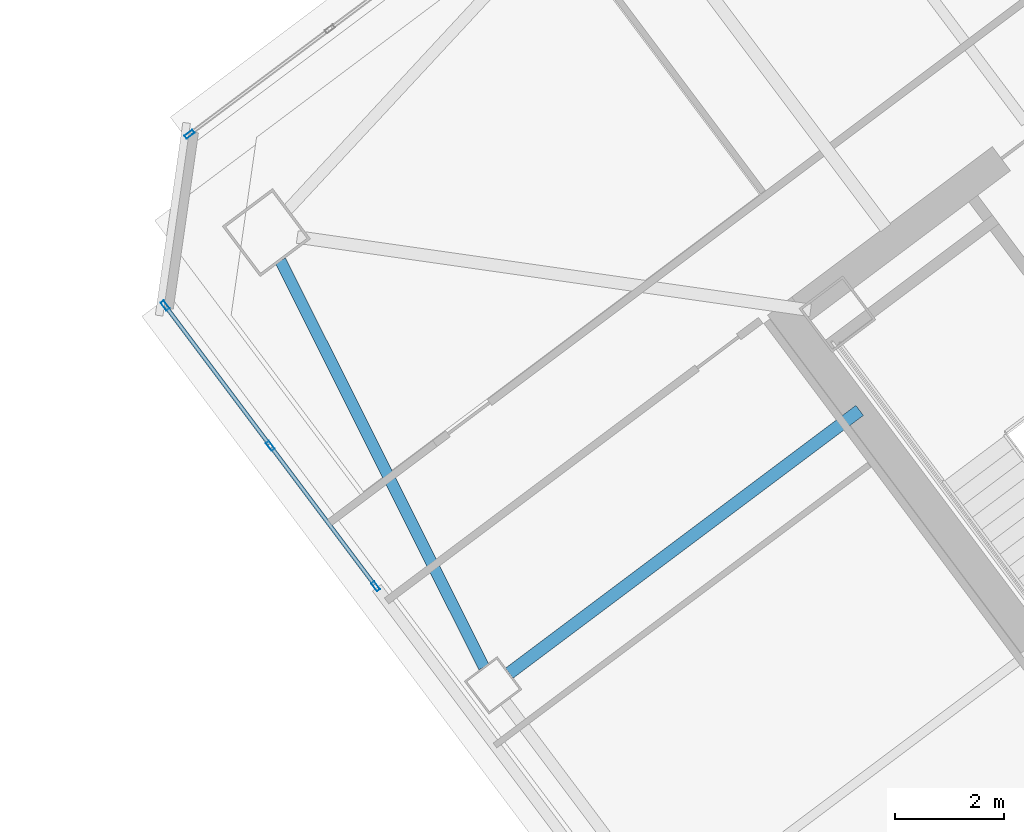
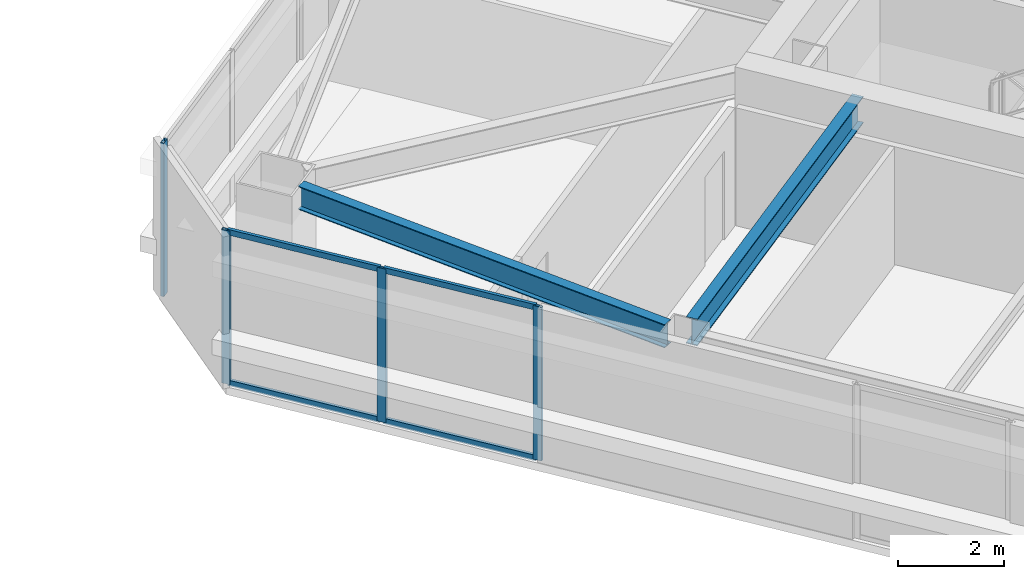
# One storey, part 21 of 43: 8 members, 2 beams, 2 elements without a shape of their own.
"""IFC4 building model written with IfcOpenShell, lengths in metres."""

from ifc_helpers import new_model, si_unit, direction, frame, origin, origin_2d, place, context, subcontext, project, spatial, hollow_rectangle, i_section, extrude, material, material_profile, profile_set, type_object, element, aggregate, save


model = new_model("IFC4")

# Units and contexts
model_context = context("Model", 3, precision=1e-05, world=origin(), true_north=direction((0.0, 1.0)))
body_context = subcontext(model_context, "Body", "Model", "MODEL_VIEW")
ifc_project = project(units=[si_unit("LENGTHUNIT", "METRE"), si_unit("AREAUNIT", "SQUARE_METRE"), si_unit("VOLUMEUNIT", "CUBIC_METRE"), si_unit("PLANEANGLEUNIT", "RADIAN"), si_unit("MASSUNIT", "GRAM", prefix="KILO")], contexts=[model_context])

# Site, building, storey
site_placement = place(None, origin())
site = spatial("IfcSite", under=ifc_project, at=site_placement, CompositionType="ELEMENT")
building_placement = place(site_placement, origin())
building = spatial("IfcBuilding", under=site, at=building_placement, Name="Tashvorn Skyway Center", CompositionType="ELEMENT")
storey_placement = place(building_placement, frame((0.0, 0.0, 185.39990234375)))
storey = spatial("IfcBuildingStorey", under=building, at=storey_placement, Name="L50", CompositionType="ELEMENT", Elevation=185.39990234375)

# Beams
ifc_material_1 = material(Name="Steel ASTM A992 Grade 50", Category="steel")
ifc_material_profile_1 = material_profile(ifc_material_1, i_section(OverallWidth=0.22998046875, OverallDepth=0.616943359375, WebThickness=0.01318359375, FlangeThickness=0.022216796875, at=origin_2d()), Name="W24X94")
ifc_profile_set_1 = profile_set([ifc_material_profile_1], Name="Steel ASTM A992 Grade 50")
beam_type_1 = type_object("IfcBeamType", Name="BM-BEAM-W24X94", PredefinedType="BEAM", material=ifc_profile_set_1)
beam_1_placement = place(storey_placement, frame((98.135986328125, 26.85205078125, 3.0615234375), z_axis=(0.799992675677, 0.60000976564, 0.0), x_axis=(-0.60000976564, 0.799992675677, 0.0)))
element("IfcBeam", 1, at=beam_1_placement, inside=storey, type_object=beam_type_1, Name="Tower 2 L50 Primary Floor Girder FC-W1", PredefinedType="BEAM", context=body_context, shape_type="SweptSolid", body=[
    extrude(i_section(OverallWidth=0.22998046875, OverallDepth=0.616943359375, WebThickness=0.01318359375, FlangeThickness=0.022216796875, at=origin_2d()), origin(), (0.0, 0.0, 1.0), 8.0),
])
ifc_material_profile_2 = material_profile(ifc_material_1, i_section(OverallWidth=0.2109375, OverallDepth=0.5390625, WebThickness=0.01171875, FlangeThickness=0.018798828125, at=origin_2d()), Name="W21X73")
ifc_profile_set_2 = profile_set([ifc_material_profile_2], Name="Steel ASTM A992 Grade 50")
beam_type_2 = type_object("IfcBeamType", Name="BM-SPANDREL-W21X73", PredefinedType="SPANDREL", material=ifc_profile_set_2)
beam_2_placement = place(storey_placement, frame((93.955078125, 34.390380859375, 3.1005859375), z_axis=(0.447648438059, -0.894209637559, 0.0), x_axis=(0.894209637559, 0.447648438059, 0.0)))
element("IfcBeam", 2, at=beam_2_placement, inside=storey, type_object=beam_type_2, Name="Tower 2 L50 Spandrel Beam 10", PredefinedType="SPANDREL", context=body_context, shape_type="SweptSolid", body=[
    extrude(i_section(OverallWidth=0.2109375, OverallDepth=0.5390625, WebThickness=0.01171875, FlangeThickness=0.018798828125, at=origin_2d()), origin(), (0.0, 0.0, 1.0), 8.308349609375),
])

# Curtain wall, members
ifc_material_2 = material(Name="Thermally broken bronze-anodized aluminium 6063-T6", Category="aluminium")
curtain_wall_type = type_object("IfcCurtainWallType", Name="CW-CW-Z4", PredefinedType="NOTDEFINED", material=ifc_material_2)
curtain_wall_1_placement = place(storey_placement, origin())
curtain_wall_1 = element("IfcCurtainWall", 3, at=curtain_wall_1_placement, inside=storey, type_object=curtain_wall_type, Name="Tower 2 L50 West Unitised Curtain Wall Glazing Group 3", PredefinedType="NOTDEFINED")
ifc_material_profile_3 = material_profile(ifc_material_2, hollow_rectangle(XDim=0.070068359375, YDim=0.179931640625, WallThickness=0.00390625, at=origin_2d()), Name="ALU-MULL-70x180")
ifc_profile_set_3 = profile_set([ifc_material_profile_3], Name="Thermally broken bronze-anodized aluminium 6063-T6")
member_type_1 = type_object("IfcMemberType", Name="CWM-CW-Z4", PredefinedType="MULLION", material=ifc_profile_set_3)
member_1_placement = place(storey_placement, frame((95.695068359375, 28.43994140625, 0.0), z_axis=(0.0, 0.0, 1.0), x_axis=(-0.799999999998, -0.600000000002, 0.0)))
member_1 = element("IfcMember", 4, at=member_1_placement, type_object=member_type_1, Name="CW-Z4 mullion 1", PredefinedType="MULLION", context=body_context, shape_type="SweptSolid", body=[
    extrude(hollow_rectangle(XDim=0.070068359375, YDim=0.179931640625, WallThickness=0.00390625, at=origin_2d()), origin(), (0.0, 0.0, 1.0), 3.550048828125),
])
member_2_placement = place(storey_placement, frame((93.77197265625, 31.00390625, 0.0), z_axis=(0.0, 0.0, 1.0), x_axis=(-0.799999999998, -0.600000000002, 0.0)))
member_2 = element("IfcMember", 5, at=member_2_placement, type_object=member_type_1, Name="CW-Z4 mullion 2", PredefinedType="MULLION", context=body_context, shape_type="SweptSolid", body=[
    extrude(hollow_rectangle(XDim=0.070068359375, YDim=0.179931640625, WallThickness=0.00390625, at=origin_2d()), origin(), (0.0, 0.0, 1.0), 3.550048828125),
])
member_3_placement = place(storey_placement, frame((91.84912109375, 33.568115234375, 0.0), z_axis=(0.0, 0.0, 1.0), x_axis=(-0.799999999998, -0.600000000002, 0.0)))
member_3 = element("IfcMember", 6, at=member_3_placement, type_object=member_type_1, Name="CW-Z4 mullion 3", PredefinedType="MULLION", context=body_context, shape_type="SweptSolid", body=[
    extrude(hollow_rectangle(XDim=0.070068359375, YDim=0.179931640625, WallThickness=0.00390625, at=origin_2d()), origin(), (0.0, 0.0, 1.0), 3.550048828125),
])

# Curtain wall, member
curtain_wall_2_placement = place(storey_placement, origin())
curtain_wall_2 = element("IfcCurtainWall", 7, at=curtain_wall_2_placement, inside=storey, type_object=curtain_wall_type, Name="Tower 2 L50 North Unitised Curtain Wall Glazing Group 1", PredefinedType="NOTDEFINED")
member_4_placement = place(storey_placement, frame((92.2958984375, 36.697021484375, 0.0), z_axis=(0.0, 0.0, 1.0), x_axis=(-0.600000000002, 0.799999999998, 0.0)))
member_4 = element("IfcMember", 8, at=member_4_placement, type_object=member_type_1, Name="CW-Z4 mullion 1", PredefinedType="MULLION", context=body_context, shape_type="SweptSolid", body=[
    extrude(hollow_rectangle(XDim=0.070068359375, YDim=0.179931640625, WallThickness=0.00390625, at=origin_2d()), origin(), (0.0, 0.0, 1.0), 3.550048828125),
])
aggregate(curtain_wall_2, [member_4])

# Member
ifc_material_profile_4 = material_profile(ifc_material_2, hollow_rectangle(XDim=0.070068359375, YDim=0.1298828125, WallThickness=0.00390625, at=origin_2d()), Name="ALU-TRAN-70x130")
ifc_profile_set_4 = profile_set([ifc_material_profile_4], Name="Thermally broken bronze-anodized aluminium 6063-T6")
member_type_2 = type_object("IfcMemberType", Name="CWT-CW-Z4", PredefinedType="USERDEFINED", material=ifc_profile_set_4)
member_5_placement = place(storey_placement, frame((95.674072265625, 28.468017578125, 0.03515625), z_axis=(-0.600012459628, 0.799990655127, 0.0), x_axis=(-0.799990655127, -0.600012459628, 0.0)))
member_5 = element("IfcMember", 9, at=member_5_placement, type_object=member_type_2, Name="CW-Z4 transom 1.1", ObjectType="TRANSOM", PredefinedType="USERDEFINED", context=body_context, shape_type="SweptSolid", body=[
    extrude(hollow_rectangle(XDim=0.070068359375, YDim=0.1298828125, WallThickness=0.00390625, at=origin_2d()), origin(), (0.0, 0.0, 1.0), 3.135009765625),
])

member_6_placement = place(storey_placement, frame((95.674072265625, 28.468017578125, 3.51513671875), z_axis=(-0.600012459628, 0.799990655127, 0.0), x_axis=(-0.799990655127, -0.600012459628, 0.0)))
member_6 = element("IfcMember", 10, at=member_6_placement, type_object=member_type_2, Name="CW-Z4 transom 1.2", ObjectType="TRANSOM", PredefinedType="USERDEFINED", context=body_context, shape_type="SweptSolid", body=[
    extrude(hollow_rectangle(XDim=0.070068359375, YDim=0.1298828125, WallThickness=0.00390625, at=origin_2d()), origin(), (0.0, 0.0, 1.0), 3.135009765625),
])

member_7_placement = place(storey_placement, frame((93.7509765625, 31.031982421875, 0.03515625), z_axis=(-0.599962618496, 0.800028034763, 0.0), x_axis=(-0.800028034763, -0.599962618496, 0.0)))
member_7 = element("IfcMember", 11, at=member_7_placement, type_object=member_type_2, Name="CW-Z4 transom 2.1", ObjectType="TRANSOM", PredefinedType="USERDEFINED", context=body_context, shape_type="SweptSolid", body=[
    extrude(hollow_rectangle(XDim=0.070068359375, YDim=0.1298828125, WallThickness=0.00390625, at=origin_2d()), origin(), (0.0, 0.0, 1.0), 3.135009765625),
])

member_8_placement = place(storey_placement, frame((93.7509765625, 31.031982421875, 3.51513671875), z_axis=(-0.599962618496, 0.800028034763, 0.0), x_axis=(-0.800028034763, -0.599962618496, 0.0)))
member_8 = element("IfcMember", 12, at=member_8_placement, type_object=member_type_2, Name="CW-Z4 transom 2.2", ObjectType="TRANSOM", PredefinedType="USERDEFINED", context=body_context, shape_type="SweptSolid", body=[
    extrude(hollow_rectangle(XDim=0.070068359375, YDim=0.1298828125, WallThickness=0.00390625, at=origin_2d()), origin(), (0.0, 0.0, 1.0), 3.135009765625),
])

aggregate(curtain_wall_1, [member_1, member_2, member_3, member_5, member_6, member_7, member_8])

save(model, "model.ifc")
